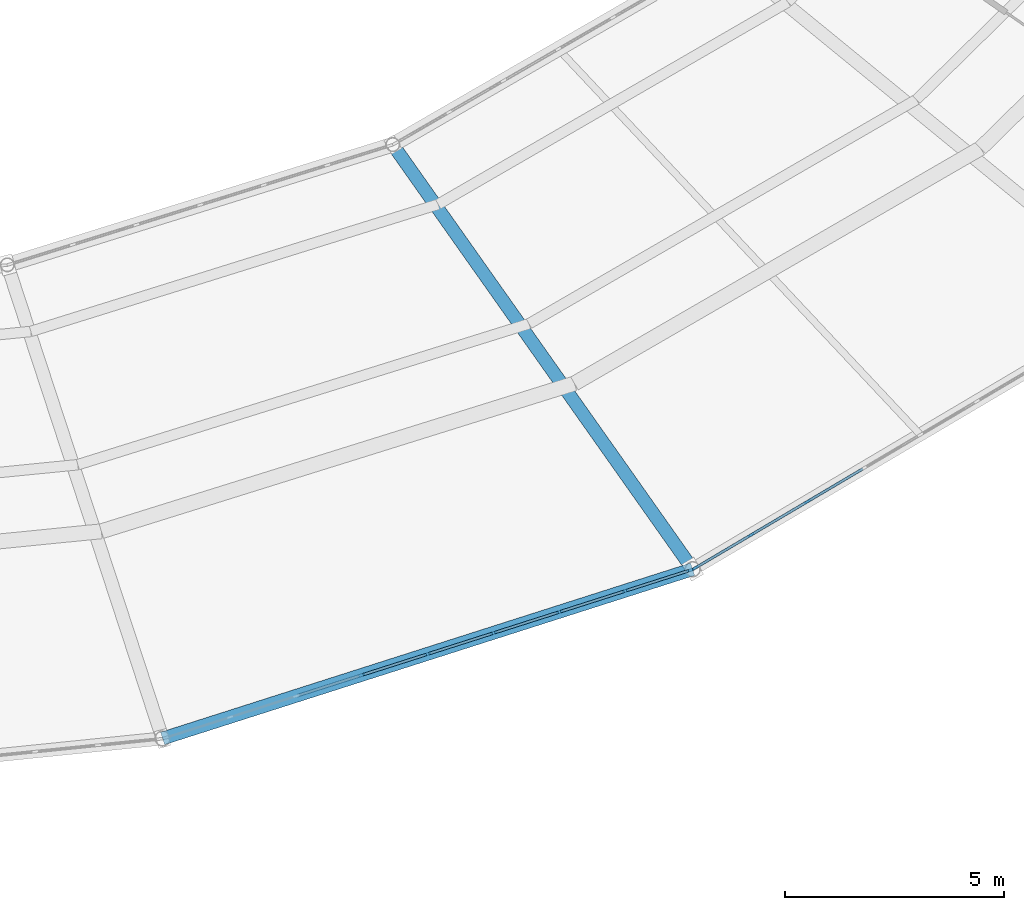
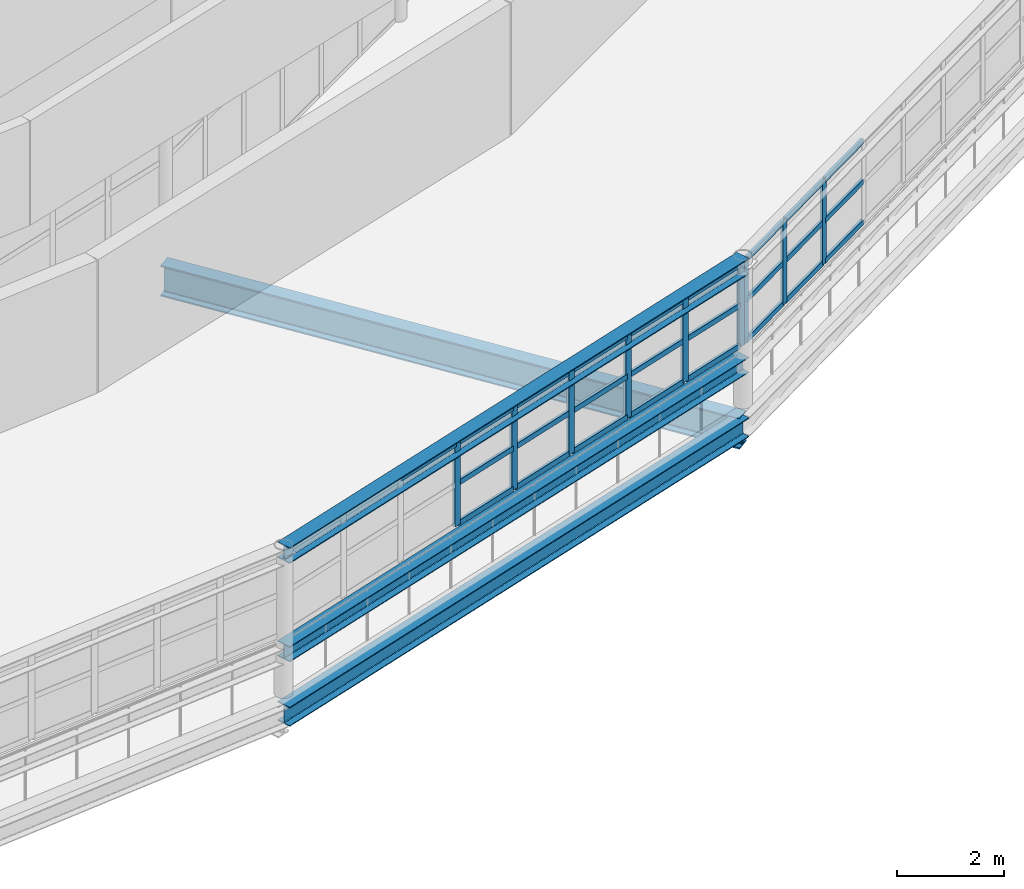
# One storey, part 37 of 123: 34 members, 4 beams, 2 elements without a shape of their own.
"""IFC4 building model written with IfcOpenShell, lengths in metres."""

from ifc_helpers import new_model, si_unit, direction, frame, origin, origin_2d, place, context, subcontext, project, spatial, rectangle, i_section, extrude, material, material_profile, profile_set, type_object, element, aggregate, save


model = new_model("IFC4")

# Units and contexts
model_context = context("Model", 3, precision=1e-05, world=origin(), true_north=direction((0.0, 1.0)))
body_context = subcontext(model_context, "Body", "Model", "MODEL_VIEW")
ifc_project = project(units=[si_unit("LENGTHUNIT", "METRE"), si_unit("AREAUNIT", "SQUARE_METRE"), si_unit("VOLUMEUNIT", "CUBIC_METRE"), si_unit("PLANEANGLEUNIT", "RADIAN"), si_unit("MASSUNIT", "GRAM", prefix="KILO")], contexts=[model_context])

# Site, building, storey
site_placement = place(None, origin())
site = spatial("IfcSite", under=ifc_project, at=site_placement, CompositionType="ELEMENT")
building_placement = place(site_placement, origin())
building = spatial("IfcBuilding", under=site, at=building_placement, Name="Kildeholm Park Wholesale Market", CompositionType="ELEMENT")
storey_placement = place(building_placement, frame((0.0, 0.0, 9.60009765625)))
storey = spatial("IfcBuildingStorey", under=building, at=storey_placement, Name="L02", CompositionType="ELEMENT", Elevation=9.60009765625)

# Beams
ifc_material_1 = material(Name="Steel S355", Category="steel")
ifc_material_profile_1 = material_profile(ifc_material_1, i_section(OverallWidth=0.300048828125, OverallDepth=0.699951171875, WebThickness=0.01708984375, FlangeThickness=0.031982421875, FilletRadius=0.027099609375, at=origin_2d()), Name="HEB 700")
ifc_profile_set_1 = profile_set([ifc_material_profile_1], Name="Steel S355")
beam_type_1 = type_object("IfcBeamType", Name="Beam B-G01 HEB 700", PredefinedType="BEAM", material=ifc_profile_set_1)
beam_1_placement = place(storey_placement, frame((117.25, 65.68408203125, -0.60009765625), z_axis=(0.576894674263, -0.816818544603, 0.0), x_axis=(0.816818544603, 0.576894674263, 0.0)))
element("IfcBeam", 1, at=beam_1_placement, inside=storey, type_object=beam_type_1, Name="Beam BM-V1-L02-R1-20 BM-0182", PredefinedType="BEAM", context=body_context, shape_type="SweptSolid", body=[
    extrude(i_section(OverallWidth=0.300048828125, OverallDepth=0.699951171875, WebThickness=0.01708984375, FlangeThickness=0.031982421875, FilletRadius=0.027099609375, at=origin_2d()), origin(), (0.0, 0.0, 1.0), 11.8740234375),
])
ifc_material_profile_2 = material_profile(ifc_material_1, i_section(OverallWidth=0.300048828125, OverallDepth=0.35009765625, WebThickness=0.010009765625, FlangeThickness=0.017578125, FilletRadius=0.027099609375, at=origin_2d()), Name="HEA 360")
ifc_profile_set_2 = profile_set([ifc_material_profile_2], Name="Steel S355")
beam_type_2 = type_object("IfcBeamType", Name="Beam B-R01 HEA 360", PredefinedType="BEAM", material=ifc_profile_set_2)
beam_2_placement = place(storey_placement, frame((111.992919921875, 52.118896484375, 0.94775390625), z_axis=(0.952608649326, 0.304198555599, 0.0), x_axis=(-0.304198555599, 0.952608649326, 0.0)))
element("IfcBeam", 2, at=beam_2_placement, inside=storey, type_object=beam_type_2, Name="Beam BM-V1-S1IN-19 BM-0335", PredefinedType="BEAM", context=body_context, shape_type="SweptSolid", body=[
    extrude(i_section(OverallWidth=0.300048828125, OverallDepth=0.35009765625, WebThickness=0.010009765625, FlangeThickness=0.017578125, FilletRadius=0.027099609375, at=origin_2d()), origin(), (0.0, 0.0, 1.0), 12.70947265625),
])
ifc_material_profile_3 = material_profile(ifc_material_1, i_section(OverallWidth=0.300048828125, OverallDepth=0.43994140625, WebThickness=0.011474609375, FlangeThickness=0.02099609375, FilletRadius=0.027099609375, at=origin_2d()), Name="HEA 450")
ifc_profile_set_3 = profile_set([ifc_material_profile_3], Name="Steel S355")
beam_type_3 = type_object("IfcBeamType", Name="Beam B-R02 HEA 450", PredefinedType="BEAM", material=ifc_profile_set_3)
beam_3_placement = place(storey_placement, frame((111.992919921875, 52.118896484375, -0.47412109375), z_axis=(0.952608649326, 0.304198555599, 0.0), x_axis=(-0.304198555599, 0.952608649326, 0.0)))
element("IfcBeam", 3, at=beam_3_placement, inside=storey, type_object=beam_type_3, Name="Beam BM-V1-L02-CM-19 BM-0179", PredefinedType="BEAM", context=body_context, shape_type="SweptSolid", body=[
    extrude(i_section(OverallWidth=0.300048828125, OverallDepth=0.43994140625, WebThickness=0.011474609375, FlangeThickness=0.02099609375, FilletRadius=0.027099609375, at=origin_2d()), origin(), (0.0, 0.0, 1.0), 12.70947265625),
])
ifc_material_profile_4 = material_profile(ifc_material_1, i_section(OverallWidth=0.300048828125, OverallDepth=0.360107421875, WebThickness=0.012451171875, FlangeThickness=0.0224609375, FilletRadius=0.027099609375, at=origin_2d()), Name="HEB 360")
ifc_profile_set_4 = profile_set([ifc_material_profile_4], Name="Steel S355")
beam_type_4 = type_object("IfcBeamType", Name="Beam B-R03 HEB 360", PredefinedType="BEAM", material=ifc_profile_set_4)
beam_4_placement = place(storey_placement, frame((111.992919921875, 52.118896484375, 3.189697265625), z_axis=(0.952608649326, 0.304198555599, 0.0), x_axis=(-0.304198555599, 0.952608649326, 0.0)))
element("IfcBeam", 4, at=beam_4_placement, inside=storey, type_object=beam_type_4, Name="Beam BM-V1-RF-M1-19 BM-0336", PredefinedType="BEAM", context=body_context, shape_type="SweptSolid", body=[
    extrude(i_section(OverallWidth=0.300048828125, OverallDepth=0.360107421875, WebThickness=0.012451171875, FlangeThickness=0.0224609375, FilletRadius=0.027099609375, at=origin_2d()), origin(), (0.0, 0.0, 1.0), 12.70947265625),
])

# Curtain wall, members
ifc_material_2 = material(Name="Anodised aluminium and low-E double-glazed glass", Category="aluminium")
curtain_wall_type = type_object("IfcCurtainWallType", Name="Clerestory daylight stick curtain wall CW-02", PredefinedType="NOTDEFINED", material=ifc_material_2)
curtain_wall_1_placement = place(storey_placement, origin())
curtain_wall_1 = element("IfcCurtainWall", 5, at=curtain_wall_1_placement, inside=storey, type_object=curtain_wall_type, Name="Curtain wall CW-V1-CL-19 CW-0095", PredefinedType="NOTDEFINED")
ifc_material_3 = material(Name="Anodised aluminium", Category="aluminium")
ifc_material_profile_5 = material_profile(ifc_material_3, rectangle(XDim=0.06005859375, YDim=0.14990234375, at=origin_2d()), Name="CWM 60x150")
ifc_profile_set_5 = profile_set([ifc_material_profile_5], Name="Anodised aluminium")
member_type_1 = type_object("IfcMemberType", Name="Curtain-wall mullion CWM-3 CWM 60x150", PredefinedType="MULLION", material=ifc_profile_set_5)
member_1_placement = place(storey_placement, frame((116.544677734375, 53.56787109375, 1.349853515625), z_axis=(0.0, 0.0, 1.0), x_axis=(-0.304206822997, 0.952606009241, 0.0)))
member_1 = element("IfcMember", 6, at=member_1_placement, type_object=member_type_1, Name="CW-02 mullion 4 MEM-3019", PredefinedType="MULLION", context=body_context, shape_type="SweptSolid", body=[
    extrude(rectangle(XDim=0.06005859375, YDim=0.14990234375, at=origin_2d()), origin(), (0.0, 0.0, 1.0), 1.900146484375),
])
member_2_placement = place(storey_placement, frame((118.048583984375, 54.048095703125, 1.349853515625), z_axis=(0.0, 0.0, 1.0), x_axis=(-0.304206822997, 0.952606009241, 0.0)))
member_2 = element("IfcMember", 7, at=member_2_placement, type_object=member_type_1, Name="CW-02 mullion 5 MEM-3020", PredefinedType="MULLION", context=body_context, shape_type="SweptSolid", body=[
    extrude(rectangle(XDim=0.06005859375, YDim=0.14990234375, at=origin_2d()), origin(), (0.0, 0.0, 1.0), 1.900146484375),
])
member_3_placement = place(storey_placement, frame((119.552490234375, 54.5283203125, 1.349853515625), z_axis=(0.0, 0.0, 1.0), x_axis=(-0.304206822997, 0.952606009241, 0.0)))
member_3 = element("IfcMember", 8, at=member_3_placement, type_object=member_type_1, Name="CW-02 mullion 6 MEM-3021", PredefinedType="MULLION", context=body_context, shape_type="SweptSolid", body=[
    extrude(rectangle(XDim=0.06005859375, YDim=0.14990234375, at=origin_2d()), origin(), (0.0, 0.0, 1.0), 1.900146484375),
])
member_4_placement = place(storey_placement, frame((121.05615234375, 55.008544921875, 1.349853515625), z_axis=(0.0, 0.0, 1.0), x_axis=(-0.304206822997, 0.952606009241, 0.0)))
member_4 = element("IfcMember", 9, at=member_4_placement, type_object=member_type_1, Name="CW-02 mullion 7 MEM-3022", PredefinedType="MULLION", context=body_context, shape_type="SweptSolid", body=[
    extrude(rectangle(XDim=0.06005859375, YDim=0.14990234375, at=origin_2d()), origin(), (0.0, 0.0, 1.0), 1.900146484375),
])
member_5_placement = place(storey_placement, frame((122.56005859375, 55.48876953125, 1.349853515625), z_axis=(0.0, 0.0, 1.0), x_axis=(-0.304206822997, 0.952606009241, 0.0)))
member_5 = element("IfcMember", 10, at=member_5_placement, type_object=member_type_1, Name="CW-02 mullion 8 MEM-3023", PredefinedType="MULLION", context=body_context, shape_type="SweptSolid", body=[
    extrude(rectangle(XDim=0.06005859375, YDim=0.14990234375, at=origin_2d()), origin(), (0.0, 0.0, 1.0), 1.900146484375),
])
member_6_placement = place(storey_placement, frame((124.035400390625, 55.9599609375, 1.349853515625), z_axis=(0.0, 0.0, 1.0), x_axis=(-0.304206822997, 0.952606009241, 0.0)))
member_6 = element("IfcMember", 11, at=member_6_placement, type_object=member_type_1, Name="CW-02 mullion 9 MEM-3024", PredefinedType="MULLION", context=body_context, shape_type="SweptSolid", body=[
    extrude(rectangle(XDim=0.06005859375, YDim=0.14990234375, at=origin_2d()), origin(), (0.0, 0.0, 1.0), 1.900146484375),
])

curtain_wall_2_placement = place(storey_placement, origin())
curtain_wall_2 = element("IfcCurtainWall", 12, at=curtain_wall_2_placement, inside=storey, type_object=curtain_wall_type, Name="Curtain wall CW-V1-CL-20 CW-0100", PredefinedType="NOTDEFINED")
member_7_placement = place(storey_placement, frame((124.163818359375, 56.017333984375, 1.349853515625), z_axis=(0.0, 0.0, 1.0), x_axis=(-0.509105492275, 0.860704129033, 0.0)))
member_7 = element("IfcMember", 13, at=member_7_placement, type_object=member_type_1, Name="CW-02 mullion 1 MEM-3161", PredefinedType="MULLION", context=body_context, shape_type="SweptSolid", body=[
    extrude(rectangle(XDim=0.06005859375, YDim=0.14990234375, at=origin_2d()), origin(), (0.0, 0.0, 1.0), 1.900146484375),
])
member_8_placement = place(storey_placement, frame((125.428955078125, 56.765625, 1.349853515625), z_axis=(0.0, 0.0, 1.0), x_axis=(-0.509105492275, 0.860704129033, 0.0)))
member_8 = element("IfcMember", 14, at=member_8_placement, type_object=member_type_1, Name="CW-02 mullion 2 MEM-3162", PredefinedType="MULLION", context=body_context, shape_type="SweptSolid", body=[
    extrude(rectangle(XDim=0.06005859375, YDim=0.14990234375, at=origin_2d()), origin(), (0.0, 0.0, 1.0), 1.900146484375),
])
member_9_placement = place(storey_placement, frame((126.719970703125, 57.529296875, 1.349853515625), z_axis=(0.0, 0.0, 1.0), x_axis=(-0.509105492275, 0.860704129033, 0.0)))
member_9 = element("IfcMember", 15, at=member_9_placement, type_object=member_type_1, Name="CW-02 mullion 3 MEM-3163", PredefinedType="MULLION", context=body_context, shape_type="SweptSolid", body=[
    extrude(rectangle(XDim=0.06005859375, YDim=0.14990234375, at=origin_2d()), origin(), (0.0, 0.0, 1.0), 1.900146484375),
])

# Member
ifc_material_profile_6 = material_profile(ifc_material_3, rectangle(XDim=0.06005859375, YDim=0.1201171875, at=origin_2d()), Name="CWT 60x120")
ifc_profile_set_6 = profile_set([ifc_material_profile_6], Name="Anodised aluminium")
member_type_2 = type_object("IfcMemberType", Name="Curtain-wall transom CWT-3 CWT 60x120", PredefinedType="USERDEFINED", material=ifc_profile_set_6)
member_10_placement = place(storey_placement, frame((115.0693359375, 53.0966796875, 3.219970703125), z_axis=(0.952625522419, 0.304145711849, 0.0), x_axis=(-0.304145711849, 0.952625522419, 0.0)))
member_10 = element("IfcMember", 16, at=member_10_placement, type_object=member_type_2, Name="CW-02 transom 3.3 MEM-3033", ObjectType="TRANSOM", PredefinedType="USERDEFINED", context=body_context, shape_type="SweptSolid", body=[
    extrude(rectangle(XDim=0.06005859375, YDim=0.1201171875, at=origin_2d()), origin(), (0.0, 0.0, 1.0), 1.518798828125),
])

member_11_placement = place(storey_placement, frame((116.5732421875, 53.576904296875, 1.3798828125), z_axis=(0.952625522419, 0.304145711849, 0.0), x_axis=(-0.304145711849, 0.952625522419, 0.0)))
member_11 = element("IfcMember", 17, at=member_11_placement, type_object=member_type_2, Name="CW-02 transom 4.1 MEM-3034", ObjectType="TRANSOM", PredefinedType="USERDEFINED", context=body_context, shape_type="SweptSolid", body=[
    extrude(rectangle(XDim=0.06005859375, YDim=0.1201171875, at=origin_2d()), origin(), (0.0, 0.0, 1.0), 1.518798828125),
])

member_12_placement = place(storey_placement, frame((116.5732421875, 53.576904296875, 2.2998046875), z_axis=(0.952625522419, 0.304145711849, 0.0), x_axis=(-0.304145711849, 0.952625522419, 0.0)))
member_12 = element("IfcMember", 18, at=member_12_placement, type_object=member_type_2, Name="CW-02 transom 4.2 MEM-3035", ObjectType="TRANSOM", PredefinedType="USERDEFINED", context=body_context, shape_type="SweptSolid", body=[
    extrude(rectangle(XDim=0.06005859375, YDim=0.1201171875, at=origin_2d()), origin(), (0.0, 0.0, 1.0), 1.518798828125),
])

member_13_placement = place(storey_placement, frame((116.5732421875, 53.576904296875, 3.219970703125), z_axis=(0.952625522419, 0.304145711849, 0.0), x_axis=(-0.304145711849, 0.952625522419, 0.0)))
member_13 = element("IfcMember", 19, at=member_13_placement, type_object=member_type_2, Name="CW-02 transom 4.3 MEM-3036", ObjectType="TRANSOM", PredefinedType="USERDEFINED", context=body_context, shape_type="SweptSolid", body=[
    extrude(rectangle(XDim=0.06005859375, YDim=0.1201171875, at=origin_2d()), origin(), (0.0, 0.0, 1.0), 1.518798828125),
])

member_14_placement = place(storey_placement, frame((118.0771484375, 54.05712890625, 1.3798828125), z_axis=(0.952610648558, 0.304192294864, 0.0), x_axis=(-0.304192294864, 0.952610648558, 0.0)))
member_14 = element("IfcMember", 20, at=member_14_placement, type_object=member_type_2, Name="CW-02 transom 5.1 MEM-3037", ObjectType="TRANSOM", PredefinedType="USERDEFINED", context=body_context, shape_type="SweptSolid", body=[
    extrude(rectangle(XDim=0.06005859375, YDim=0.1201171875, at=origin_2d()), origin(), (0.0, 0.0, 1.0), 1.5185546875),
])

member_15_placement = place(storey_placement, frame((118.0771484375, 54.05712890625, 2.2998046875), z_axis=(0.952610648558, 0.304192294864, 0.0), x_axis=(-0.304192294864, 0.952610648558, 0.0)))
member_15 = element("IfcMember", 21, at=member_15_placement, type_object=member_type_2, Name="CW-02 transom 5.2 MEM-3038", ObjectType="TRANSOM", PredefinedType="USERDEFINED", context=body_context, shape_type="SweptSolid", body=[
    extrude(rectangle(XDim=0.06005859375, YDim=0.1201171875, at=origin_2d()), origin(), (0.0, 0.0, 1.0), 1.5185546875),
])

member_16_placement = place(storey_placement, frame((118.0771484375, 54.05712890625, 3.219970703125), z_axis=(0.952610648558, 0.304192294864, 0.0), x_axis=(-0.304192294864, 0.952610648558, 0.0)))
member_16 = element("IfcMember", 22, at=member_16_placement, type_object=member_type_2, Name="CW-02 transom 5.3 MEM-3039", ObjectType="TRANSOM", PredefinedType="USERDEFINED", context=body_context, shape_type="SweptSolid", body=[
    extrude(rectangle(XDim=0.06005859375, YDim=0.1201171875, at=origin_2d()), origin(), (0.0, 0.0, 1.0), 1.5185546875),
])

member_17_placement = place(storey_placement, frame((119.5810546875, 54.537353515625, 1.3798828125), z_axis=(0.952610648558, 0.304192294864, 0.0), x_axis=(-0.304192294864, 0.952610648558, 0.0)))
member_17 = element("IfcMember", 23, at=member_17_placement, type_object=member_type_2, Name="CW-02 transom 6.1 MEM-3040", ObjectType="TRANSOM", PredefinedType="USERDEFINED", context=body_context, shape_type="SweptSolid", body=[
    extrude(rectangle(XDim=0.06005859375, YDim=0.1201171875, at=origin_2d()), origin(), (0.0, 0.0, 1.0), 1.5185546875),
])

member_18_placement = place(storey_placement, frame((119.5810546875, 54.537353515625, 2.2998046875), z_axis=(0.952610648558, 0.304192294864, 0.0), x_axis=(-0.304192294864, 0.952610648558, 0.0)))
member_18 = element("IfcMember", 24, at=member_18_placement, type_object=member_type_2, Name="CW-02 transom 6.2 MEM-3041", ObjectType="TRANSOM", PredefinedType="USERDEFINED", context=body_context, shape_type="SweptSolid", body=[
    extrude(rectangle(XDim=0.06005859375, YDim=0.1201171875, at=origin_2d()), origin(), (0.0, 0.0, 1.0), 1.5185546875),
])

member_19_placement = place(storey_placement, frame((119.5810546875, 54.537353515625, 3.219970703125), z_axis=(0.952610648558, 0.304192294864, 0.0), x_axis=(-0.304192294864, 0.952610648558, 0.0)))
member_19 = element("IfcMember", 25, at=member_19_placement, type_object=member_type_2, Name="CW-02 transom 6.3 MEM-3042", ObjectType="TRANSOM", PredefinedType="USERDEFINED", context=body_context, shape_type="SweptSolid", body=[
    extrude(rectangle(XDim=0.06005859375, YDim=0.1201171875, at=origin_2d()), origin(), (0.0, 0.0, 1.0), 1.5185546875),
])

member_20_placement = place(storey_placement, frame((121.084716796875, 55.017578125, 1.3798828125), z_axis=(0.952578937282, 0.304291584252, 0.0), x_axis=(-0.304291584252, 0.952578937282, 0.0)))
member_20 = element("IfcMember", 26, at=member_20_placement, type_object=member_type_2, Name="CW-02 transom 7.1 MEM-3043", ObjectType="TRANSOM", PredefinedType="USERDEFINED", context=body_context, shape_type="SweptSolid", body=[
    extrude(rectangle(XDim=0.06005859375, YDim=0.1201171875, at=origin_2d()), origin(), (0.0, 0.0, 1.0), 1.518798828125),
])

member_21_placement = place(storey_placement, frame((121.084716796875, 55.017578125, 2.2998046875), z_axis=(0.952578937282, 0.304291584252, 0.0), x_axis=(-0.304291584252, 0.952578937282, 0.0)))
member_21 = element("IfcMember", 27, at=member_21_placement, type_object=member_type_2, Name="CW-02 transom 7.2 MEM-3044", ObjectType="TRANSOM", PredefinedType="USERDEFINED", context=body_context, shape_type="SweptSolid", body=[
    extrude(rectangle(XDim=0.06005859375, YDim=0.1201171875, at=origin_2d()), origin(), (0.0, 0.0, 1.0), 1.518798828125),
])

member_22_placement = place(storey_placement, frame((121.084716796875, 55.017578125, 3.219970703125), z_axis=(0.952578937282, 0.304291584252, 0.0), x_axis=(-0.304291584252, 0.952578937282, 0.0)))
member_22 = element("IfcMember", 28, at=member_22_placement, type_object=member_type_2, Name="CW-02 transom 7.3 MEM-3045", ObjectType="TRANSOM", PredefinedType="USERDEFINED", context=body_context, shape_type="SweptSolid", body=[
    extrude(rectangle(XDim=0.06005859375, YDim=0.1201171875, at=origin_2d()), origin(), (0.0, 0.0, 1.0), 1.518798828125),
])

member_23_placement = place(storey_placement, frame((122.588623046875, 55.497802734375, 1.3798828125), z_axis=(0.952608667533, 0.304198498584, 0.0), x_axis=(-0.304198498584, 0.952608667533, 0.0)))
member_23 = element("IfcMember", 29, at=member_23_placement, type_object=member_type_2, Name="CW-02 transom 8.1 MEM-3046", ObjectType="TRANSOM", PredefinedType="USERDEFINED", context=body_context, shape_type="SweptSolid", body=[
    extrude(rectangle(XDim=0.06005859375, YDim=0.1201171875, at=origin_2d()), origin(), (0.0, 0.0, 1.0), 1.48876953125),
])

member_24_placement = place(storey_placement, frame((122.588623046875, 55.497802734375, 2.2998046875), z_axis=(0.952608667533, 0.304198498584, 0.0), x_axis=(-0.304198498584, 0.952608667533, 0.0)))
member_24 = element("IfcMember", 30, at=member_24_placement, type_object=member_type_2, Name="CW-02 transom 8.2 MEM-3047", ObjectType="TRANSOM", PredefinedType="USERDEFINED", context=body_context, shape_type="SweptSolid", body=[
    extrude(rectangle(XDim=0.06005859375, YDim=0.1201171875, at=origin_2d()), origin(), (0.0, 0.0, 1.0), 1.48876953125),
])

member_25_placement = place(storey_placement, frame((122.588623046875, 55.497802734375, 3.219970703125), z_axis=(0.952608667533, 0.304198498584, 0.0), x_axis=(-0.304198498584, 0.952608667533, 0.0)))
member_25 = element("IfcMember", 31, at=member_25_placement, type_object=member_type_2, Name="CW-02 transom 8.3 MEM-3048", ObjectType="TRANSOM", PredefinedType="USERDEFINED", context=body_context, shape_type="SweptSolid", body=[
    extrude(rectangle(XDim=0.06005859375, YDim=0.1201171875, at=origin_2d()), origin(), (0.0, 0.0, 1.0), 1.48876953125),
])

aggregate(curtain_wall_1, [member_1, member_2, member_3, member_4, member_5, member_6, member_10, member_11, member_12, member_13, member_14, member_15, member_16, member_17, member_18, member_19, member_20, member_21, member_22, member_23, member_24, member_25])

member_26_placement = place(storey_placement, frame((124.189697265625, 56.032470703125, 1.3798828125), z_axis=(0.860685098679, 0.509137664008, 0.0), x_axis=(-0.509137664008, 0.860685098679, 0.0)))
member_26 = element("IfcMember", 32, at=member_26_placement, type_object=member_type_2, Name="CW-02 transom 1.1 MEM-3170", ObjectType="TRANSOM", PredefinedType="USERDEFINED", context=body_context, shape_type="SweptSolid", body=[
    extrude(rectangle(XDim=0.06005859375, YDim=0.1201171875, at=origin_2d()), origin(), (0.0, 0.0, 1.0), 1.40966796875),
])

member_27_placement = place(storey_placement, frame((124.189697265625, 56.032470703125, 2.2998046875), z_axis=(0.860685098679, 0.509137664008, 0.0), x_axis=(-0.509137664008, 0.860685098679, 0.0)))
member_27 = element("IfcMember", 33, at=member_27_placement, type_object=member_type_2, Name="CW-02 transom 1.2 MEM-3171", ObjectType="TRANSOM", PredefinedType="USERDEFINED", context=body_context, shape_type="SweptSolid", body=[
    extrude(rectangle(XDim=0.06005859375, YDim=0.1201171875, at=origin_2d()), origin(), (0.0, 0.0, 1.0), 1.40966796875),
])

member_28_placement = place(storey_placement, frame((124.189697265625, 56.032470703125, 3.219970703125), z_axis=(0.860685098679, 0.509137664008, 0.0), x_axis=(-0.509137664008, 0.860685098679, 0.0)))
member_28 = element("IfcMember", 34, at=member_28_placement, type_object=member_type_2, Name="CW-02 transom 1.3 MEM-3172", ObjectType="TRANSOM", PredefinedType="USERDEFINED", context=body_context, shape_type="SweptSolid", body=[
    extrude(rectangle(XDim=0.06005859375, YDim=0.1201171875, at=origin_2d()), origin(), (0.0, 0.0, 1.0), 1.40966796875),
])

member_29_placement = place(storey_placement, frame((125.454833984375, 56.781005859375, 1.3798828125), z_axis=(0.860737422869, 0.509049200838, 0.0), x_axis=(-0.509049200838, 0.860737422869, 0.0)))
member_29 = element("IfcMember", 35, at=member_29_placement, type_object=member_type_2, Name="CW-02 transom 2.1 MEM-3173", ObjectType="TRANSOM", PredefinedType="USERDEFINED", context=body_context, shape_type="SweptSolid", body=[
    extrude(rectangle(XDim=0.06005859375, YDim=0.1201171875, at=origin_2d()), origin(), (0.0, 0.0, 1.0), 1.439697265625),
])

member_30_placement = place(storey_placement, frame((125.454833984375, 56.781005859375, 2.2998046875), z_axis=(0.860737422869, 0.509049200838, 0.0), x_axis=(-0.509049200838, 0.860737422869, 0.0)))
member_30 = element("IfcMember", 36, at=member_30_placement, type_object=member_type_2, Name="CW-02 transom 2.2 MEM-3174", ObjectType="TRANSOM", PredefinedType="USERDEFINED", context=body_context, shape_type="SweptSolid", body=[
    extrude(rectangle(XDim=0.06005859375, YDim=0.1201171875, at=origin_2d()), origin(), (0.0, 0.0, 1.0), 1.439697265625),
])

member_31_placement = place(storey_placement, frame((125.454833984375, 56.781005859375, 3.219970703125), z_axis=(0.860737422869, 0.509049200838, 0.0), x_axis=(-0.509049200838, 0.860737422869, 0.0)))
member_31 = element("IfcMember", 37, at=member_31_placement, type_object=member_type_2, Name="CW-02 transom 2.3 MEM-3175", ObjectType="TRANSOM", PredefinedType="USERDEFINED", context=body_context, shape_type="SweptSolid", body=[
    extrude(rectangle(XDim=0.06005859375, YDim=0.1201171875, at=origin_2d()), origin(), (0.0, 0.0, 1.0), 1.439697265625),
])

member_32_placement = place(storey_placement, frame((126.745849609375, 57.54443359375, 1.3798828125), z_axis=(0.860663121706, 0.509174813728, 0.0), x_axis=(-0.509174813728, 0.860663121706, 0.0)))
member_32 = element("IfcMember", 38, at=member_32_placement, type_object=member_type_2, Name="CW-02 transom 3.1 MEM-3176", ObjectType="TRANSOM", PredefinedType="USERDEFINED", context=body_context, shape_type="SweptSolid", body=[
    extrude(rectangle(XDim=0.06005859375, YDim=0.1201171875, at=origin_2d()), origin(), (0.0, 0.0, 1.0), 1.43994140625),
])

member_33_placement = place(storey_placement, frame((126.745849609375, 57.54443359375, 2.2998046875), z_axis=(0.860663121706, 0.509174813728, 0.0), x_axis=(-0.509174813728, 0.860663121706, 0.0)))
member_33 = element("IfcMember", 39, at=member_33_placement, type_object=member_type_2, Name="CW-02 transom 3.2 MEM-3177", ObjectType="TRANSOM", PredefinedType="USERDEFINED", context=body_context, shape_type="SweptSolid", body=[
    extrude(rectangle(XDim=0.06005859375, YDim=0.1201171875, at=origin_2d()), origin(), (0.0, 0.0, 1.0), 1.43994140625),
])

member_34_placement = place(storey_placement, frame((126.745849609375, 57.54443359375, 3.219970703125), z_axis=(0.860663121706, 0.509174813728, 0.0), x_axis=(-0.509174813728, 0.860663121706, 0.0)))
member_34 = element("IfcMember", 40, at=member_34_placement, type_object=member_type_2, Name="CW-02 transom 3.3 MEM-3178", ObjectType="TRANSOM", PredefinedType="USERDEFINED", context=body_context, shape_type="SweptSolid", body=[
    extrude(rectangle(XDim=0.06005859375, YDim=0.1201171875, at=origin_2d()), origin(), (0.0, 0.0, 1.0), 1.43994140625),
])

aggregate(curtain_wall_2, [member_7, member_8, member_9, member_26, member_27, member_28, member_29, member_30, member_31, member_32, member_33, member_34])

save(model, "model.ifc")
